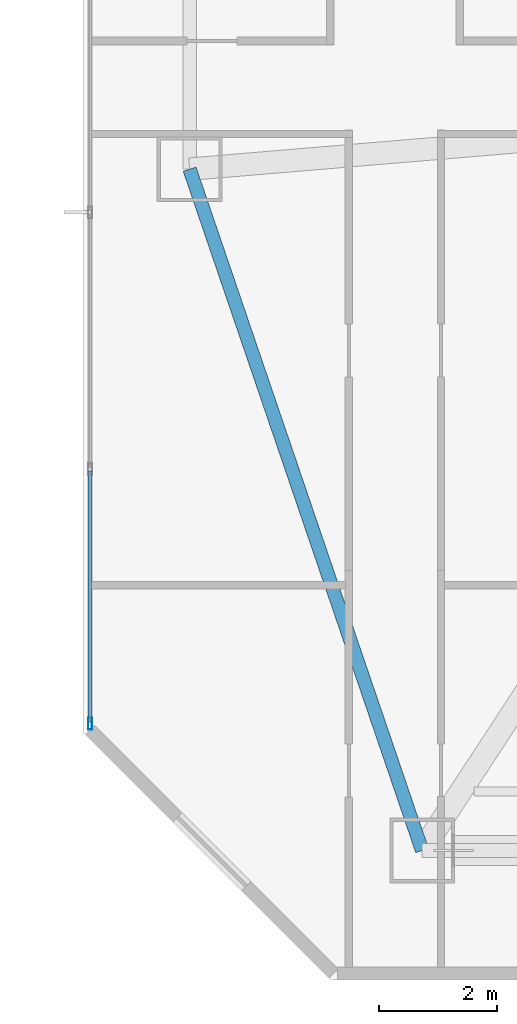
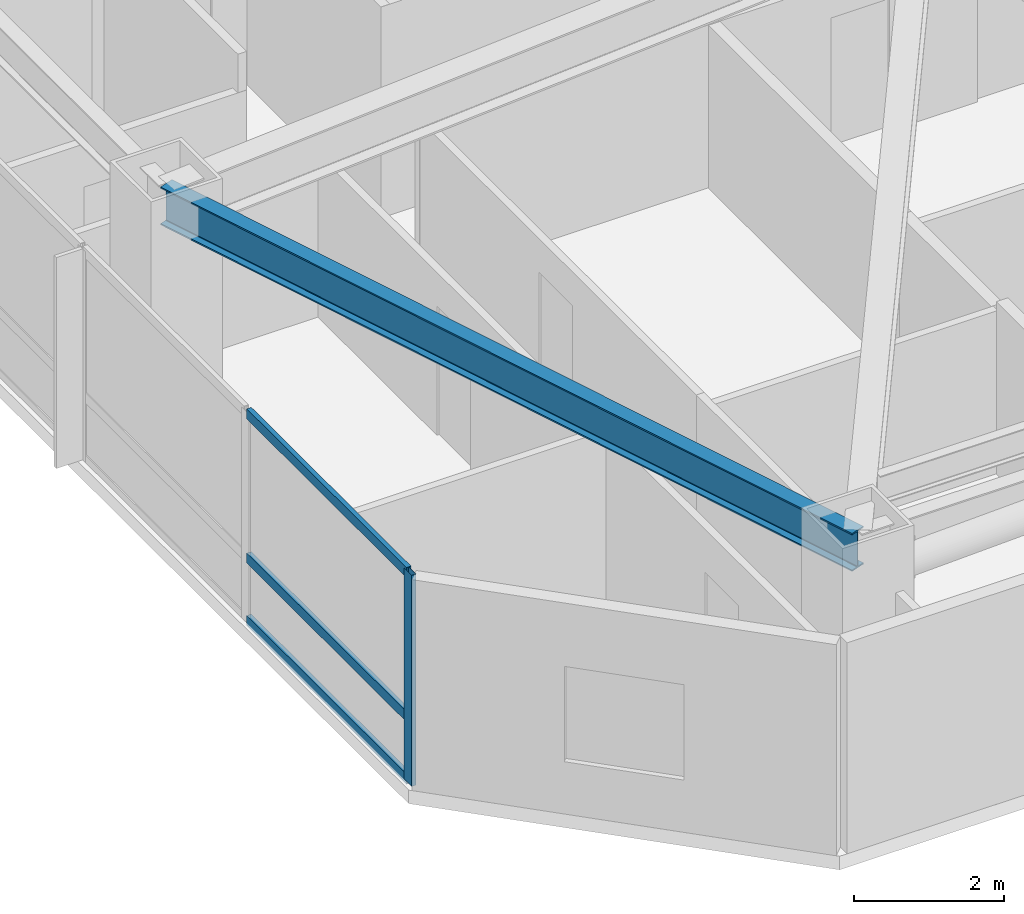
# One storey, part 2 of 19: 4 members, 1 beam, 1 element without a shape of its own.
"""IFC4 building model written with IfcOpenShell, lengths in metres."""

from ifc_helpers import new_model, si_unit, direction, frame, origin, origin_2d, place, context, subcontext, project, spatial, hollow_rectangle, i_section, extrude, material, material_profile, profile_set, type_object, element, aggregate, save


model = new_model("IFC4")

# Units and contexts
model_context = context("Model", 3, precision=1e-05, world=origin(), true_north=direction((0.0, 1.0)))
body_context = subcontext(model_context, "Body", "Model", "MODEL_VIEW")
ifc_project = project(units=[si_unit("LENGTHUNIT", "METRE"), si_unit("AREAUNIT", "SQUARE_METRE"), si_unit("VOLUMEUNIT", "CUBIC_METRE"), si_unit("PLANEANGLEUNIT", "RADIAN"), si_unit("MASSUNIT", "GRAM", prefix="KILO")], contexts=[model_context])

# Site, building, storey
site_placement = place(None, origin())
site = spatial("IfcSite", under=ifc_project, at=site_placement, CompositionType="ELEMENT")
building_placement = place(site_placement, origin())
building = spatial("IfcBuilding", under=site, at=building_placement, Name="Khamvora Tower", CompositionType="ELEMENT")
storey_placement = place(building_placement, frame((0.0, 0.0, 58.85009765625)))
storey = spatial("IfcBuildingStorey", under=building, at=storey_placement, Name="L14", CompositionType="ELEMENT", Elevation=58.85009765625)

# Beam
ifc_material_1 = material(Name="Steel S355", Category="steel")
ifc_material_profile_1 = material_profile(ifc_material_1, i_section(OverallWidth=0.22998046875, OverallDepth=0.616943359375, WebThickness=0.012939453125, FlangeThickness=0.02197265625, FilletRadius=0.013916015625, at=origin_2d()), Name="W610x140")
ifc_profile_set_1 = profile_set([ifc_material_profile_1], Name="Steel S355")
beam_type = type_object("IfcBeamType", Name="BM-SP-W610x140", PredefinedType="SPANDREL", material=ifc_profile_set_1)
beam_placement = place(storey_placement, frame((5.800048828125, 16.77490234375, 3.120849609375), z_axis=(0.322962893199, -0.946411628002, 0.0), x_axis=(0.946411628002, 0.322962893199, 0.0)))
element("IfcBeam", 1, at=beam_placement, inside=storey, type_object=beam_type, Name="L14 perimeter spandrel beam W1-S1", PredefinedType="SPANDREL", context=body_context, shape_type="SweptSolid", body=[
    extrude(i_section(OverallWidth=0.22998046875, OverallDepth=0.616943359375, WebThickness=0.012939453125, FlangeThickness=0.02197265625, FilletRadius=0.013916015625, at=origin_2d()), origin(), (0.0, 0.0, 1.0), 12.23046875),
])

# Curtain wall, members
ifc_material_2 = material(Name="Anodised Aluminium 6063-T6", Category="aluminium")
curtain_wall_type = type_object("IfcCurtainWallType", Name="CW-SYS-02", PredefinedType="NOTDEFINED", material=ifc_material_2)
curtain_wall_placement = place(storey_placement, origin())
curtain_wall = element("IfcCurtainWall", 2, at=curtain_wall_placement, inside=storey, type_object=curtain_wall_type, Name="L14 stick curtain wall 02.1", PredefinedType="NOTDEFINED")
ifc_material_profile_2 = material_profile(ifc_material_2, hollow_rectangle(XDim=0.070068359375, YDim=0.199951171875, WallThickness=0.0048828125, at=origin_2d()), Name="MUL70x200x5")
ifc_profile_set_2 = profile_set([ifc_material_profile_2], Name="Anodised Aluminium 6063-T6")
member_type_1 = type_object("IfcMemberType", Name="CW-SYS-02-MUL", PredefinedType="MULLION", material=ifc_profile_set_2)
member_1_placement = place(storey_placement, frame((4.110107421875, 7.35205078125, 0.0), z_axis=(0.0, 0.0, 1.0), x_axis=(-1.0, 0.0, 0.0)))
member_1 = element("IfcMember", 3, at=member_1_placement, type_object=member_type_1, Name="CW-02 mullion 1", PredefinedType="MULLION", context=body_context, shape_type="SweptSolid", body=[
    extrude(hollow_rectangle(XDim=0.070068359375, YDim=0.199951171875, WallThickness=0.0048828125, at=origin_2d()), origin(), (0.0, 0.0, 1.0), 3.429931640625),
])
ifc_material_profile_3 = material_profile(ifc_material_2, hollow_rectangle(XDim=0.070068359375, YDim=0.1650390625, WallThickness=0.0048828125, at=origin_2d()), Name="TRN70x165x5")
ifc_profile_set_3 = profile_set([ifc_material_profile_3], Name="Anodised Aluminium 6063-T6")
member_type_2 = type_object("IfcMemberType", Name="CW-SYS-02-TRN", PredefinedType="USERDEFINED", material=ifc_profile_set_3)
member_2_placement = place(storey_placement, frame((4.110107421875, 7.386962890625, 0.034912109375), z_axis=(0.0, 1.0, 0.0), x_axis=(-1.0, 0.0, 0.0)))
member_2 = element("IfcMember", 4, at=member_2_placement, type_object=member_type_2, Name="CW-02 transom 1.1", ObjectType="TRANSOM", PredefinedType="USERDEFINED", context=body_context, shape_type="SweptSolid", body=[
    extrude(hollow_rectangle(XDim=0.070068359375, YDim=0.1650390625, WallThickness=0.0048828125, at=origin_2d()), origin(), (0.0, 0.0, 1.0), 4.256591796875),
])
member_3_placement = place(storey_placement, frame((4.110107421875, 7.386962890625, 1.0498046875), z_axis=(0.0, 1.0, 0.0), x_axis=(-1.0, 0.0, 0.0)))
member_3 = element("IfcMember", 5, at=member_3_placement, type_object=member_type_2, Name="CW-02 transom 1.2", ObjectType="TRANSOM", PredefinedType="USERDEFINED", context=body_context, shape_type="SweptSolid", body=[
    extrude(hollow_rectangle(XDim=0.070068359375, YDim=0.1650390625, WallThickness=0.0048828125, at=origin_2d()), origin(), (0.0, 0.0, 1.0), 4.256591796875),
])
member_4_placement = place(storey_placement, frame((4.110107421875, 7.386962890625, 3.39501953125), z_axis=(0.0, 1.0, 0.0), x_axis=(-1.0, 0.0, 0.0)))
member_4 = element("IfcMember", 6, at=member_4_placement, type_object=member_type_2, Name="CW-02 transom 1.3", ObjectType="TRANSOM", PredefinedType="USERDEFINED", context=body_context, shape_type="SweptSolid", body=[
    extrude(hollow_rectangle(XDim=0.070068359375, YDim=0.1650390625, WallThickness=0.0048828125, at=origin_2d()), origin(), (0.0, 0.0, 1.0), 4.256591796875),
])
aggregate(curtain_wall, [member_1, member_2, member_3, member_4])

save(model, "model.ifc")
